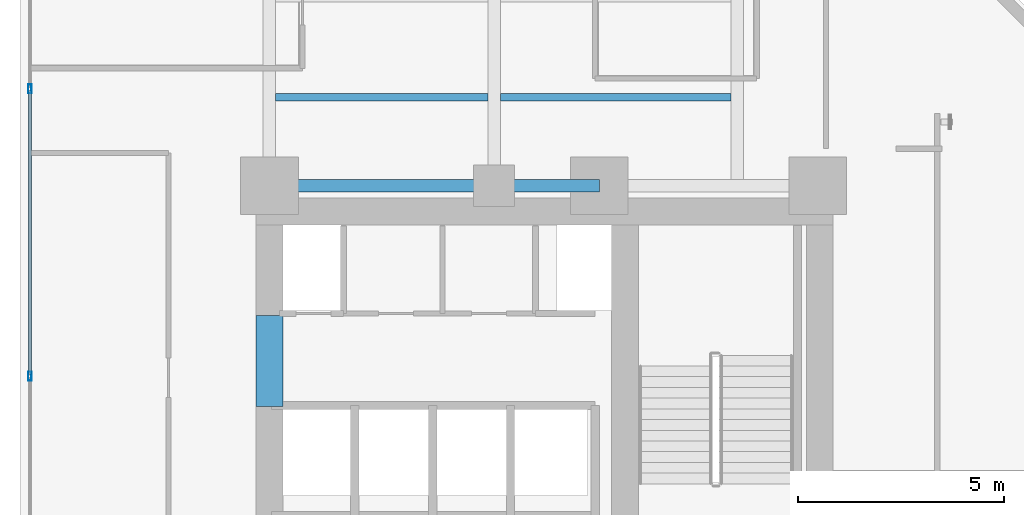
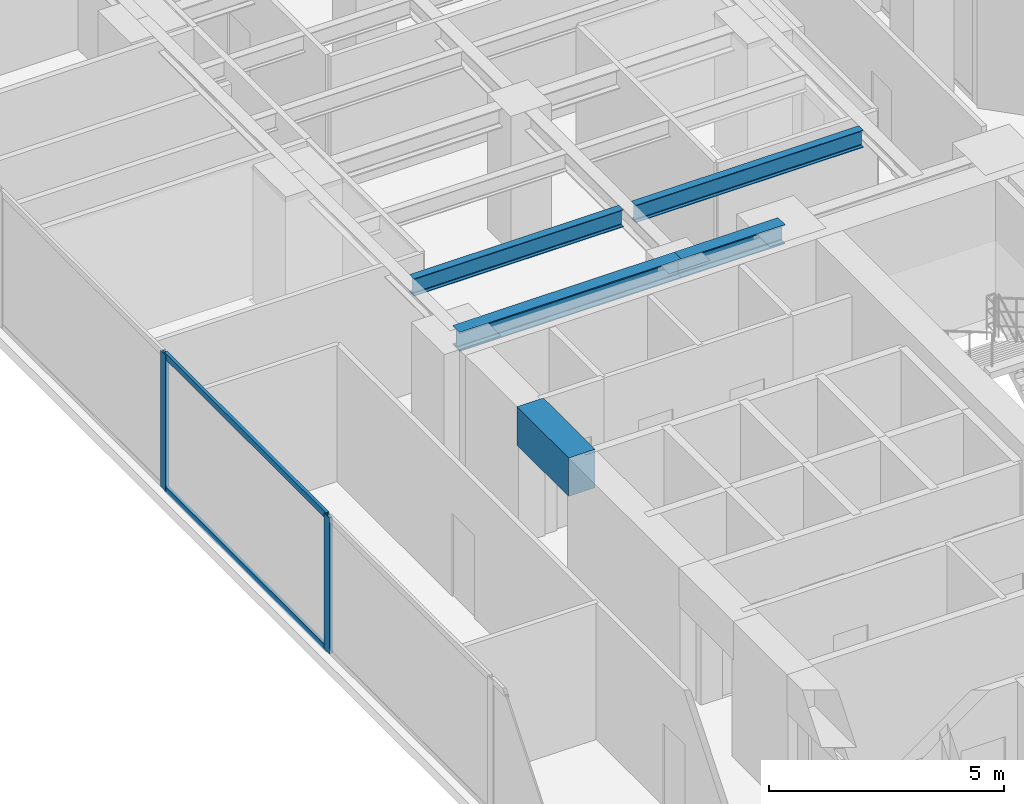
# One storey, part 7 of 29: 5 beams, 4 members, 1 element without a shape of its own.
"""IFC4 building model written with IfcOpenShell, lengths in metres."""

import ifcopenshell
import ifcopenshell.guid

model = None  # the IFC model being written
_history = None  # IfcOwnerHistory: only IFC2X3 demands one
_inside = {}  # id of a spatial element -> (the spatial element, [elements in it])
_under = {}  # id of a project, library or spatial element -> (it, [spatial elements below it])
_declared = {}  # id of a project -> (the project, [libraries it declares])
_typed = {}  # id of a type object -> (the type object, [elements of that type])
_made_of = {}  # id of a material, layer set ... -> (it, [elements and type objects made of it])


def new_model(schema):
    """Start an empty IFC model of exactly this schema.

    Asked for "IFC4X3", IfcOpenShell would pick the latest addendum, in which some entities
    have other attributes; the version numbers below select the first issue.
    IFC2X3 requires an IfcOwnerHistory on every rooted entity: one is made here for all.
    """
    global model, _history
    if schema == "IFC4X3":
        model = ifcopenshell.file(schema_version=(4, 3, 0, 0))
    else:
        model = ifcopenshell.file(schema=schema)
    _inside.clear()
    _under.clear()
    _declared.clear()
    _typed.clear()
    _made_of.clear()
    _history = None
    if model.schema == "IFC2X3":
        org = make("IfcOrganization", Name="unknown")
        user = make(
            "IfcPersonAndOrganization",
            ThePerson=make("IfcPerson", FamilyName="unknown"),
            TheOrganization=org,
        )
        app = make(
            "IfcApplication",
            ApplicationDeveloper=org,
            Version="unknown",
            ApplicationFullName="unknown",
            ApplicationIdentifier="unknown",
        )
        _history = make(
            "IfcOwnerHistory",
            OwningUser=user,
            OwningApplication=app,
            ChangeAction="ADDED",
            CreationDate=0,
        )
    return model


def make(cls, **values):
    """One entity of the class cls with the attributes given. An attribute that is None is left unset."""
    return model.create_entity(
        cls, **{name: value for name, value in values.items() if value is not None}
    )


def rooted(cls, **values):
    """An entity with a GlobalId (a new one), such as an element, a storey or a relation."""
    return make(cls, GlobalId=ifcopenshell.guid.new(), OwnerHistory=_history, **values)


def si_unit(unit_type, name, prefix=None):
    """IfcSIUnit, for example si_unit("LENGTHUNIT", "METRE", prefix="MILLI")."""
    return make("IfcSIUnit", UnitType=unit_type, Prefix=prefix, Name=name)


def assignment(units):
    """IfcUnitAssignment: the units of a project."""
    return None if units is None else make("IfcUnitAssignment", Units=units)


def point(xyz):
    """IfcCartesianPoint."""
    return None if xyz is None else make("IfcCartesianPoint", Coordinates=xyz)


def direction(xyz):
    """IfcDirection."""
    return None if xyz is None else make("IfcDirection", DirectionRatios=xyz)


def frame(location, z_axis=None, x_axis=None):
    """IfcAxis2Placement3D, a coordinate frame: its origin and axes. An axis left out is left unset."""
    return make(
        "IfcAxis2Placement3D",
        Location=point(location),
        Axis=direction(z_axis),
        RefDirection=direction(x_axis),
    )


def frame_2d(location, x_axis=None):
    """IfcAxis2Placement2D, a coordinate frame in the plane: its origin and x axis."""
    return make(
        "IfcAxis2Placement2D", Location=point(location), RefDirection=direction(x_axis)
    )


def origin():
    """The frame at (0, 0, 0) with its axes left unset."""
    return frame((0.0, 0.0, 0.0))


def origin_with_axes():
    """The frame at (0, 0, 0) with the z axis (0, 0, 1) and the x axis (1, 0, 0) written out."""
    return frame((0.0, 0.0, 0.0), z_axis=(0.0, 0.0, 1.0), x_axis=(1.0, 0.0, 0.0))


def origin_2d():
    """The frame at (0, 0) in the plane with its x axis left unset."""
    return frame_2d((0.0, 0.0))


def place(relative_to, where):
    """IfcLocalPlacement: puts the frame where relative to a parent placement (None: the world)."""
    return make(
        "IfcLocalPlacement", PlacementRelTo=relative_to, RelativePlacement=where
    )


def context(
    kind, dimensions, precision=None, world=None, true_north=None, identifier=None
):
    """IfcGeometricRepresentationContext, for example the 3D "Model" context."""
    return make(
        "IfcGeometricRepresentationContext",
        ContextIdentifier=identifier,
        ContextType=kind,
        CoordinateSpaceDimension=dimensions,
        Precision=precision,
        WorldCoordinateSystem=world,
        TrueNorth=true_north,
    )


def subcontext(parent, identifier, kind, view, scale=None):
    """IfcGeometricRepresentationSubContext, for example "Body" below "Model"."""
    return make(
        "IfcGeometricRepresentationSubContext",
        ContextIdentifier=identifier,
        ContextType=kind,
        ParentContext=parent,
        TargetScale=scale,
        TargetView=view,
    )


def project(units=None, contexts=None):
    """IfcProject with its units and contexts."""
    return rooted(
        "IfcProject",
        Name="project",
        RepresentationContexts=contexts,
        UnitsInContext=assignment(units),
    )


def spatial(cls, under=None, at=None, **own):
    """A site, building, storey or space (cls), placed at a placement, below another one or the project."""
    s = rooted(cls, ObjectPlacement=at, **own)
    if under is not None:
        _under.setdefault(under.id(), (under, []))[1].append(s)
    return s


def profile(cls, at=None, kind="AREA", **sizes):
    """A parametric profile (cls). Its sizes go by their IFC names, for example OverallWidth=200.0."""
    return make(cls, ProfileType=kind, Position=at, **sizes)


def rectangle(**sizes):
    """IfcRectangleProfileDef."""
    return profile("IfcRectangleProfileDef", **sizes)


def hollow_rectangle(**sizes):
    """IfcRectangleHollowProfileDef."""
    return profile("IfcRectangleHollowProfileDef", **sizes)


def i_section(**sizes):
    """IfcIShapeProfileDef."""
    return profile("IfcIShapeProfileDef", **sizes)


def extrude(swept, where, along, depth):
    """IfcExtrudedAreaSolid: the profile swept, set in the frame where, extruded along a direction by depth."""
    return make(
        "IfcExtrudedAreaSolid",
        SweptArea=swept,
        Position=where,
        ExtrudedDirection=direction(along),
        Depth=depth,
    )


def shape(context_of_items, identifier, shape_type, items):
    """IfcShapeRepresentation: the items that make up one representation, for example the "Body"."""
    return make(
        "IfcShapeRepresentation",
        ContextOfItems=context_of_items,
        RepresentationIdentifier=identifier,
        RepresentationType=shape_type,
        Items=items,
    )


def source(mapping_origin, context_of_items, identifier, shape_type, items):
    """IfcRepresentationMap: a shape defined once, which mapped items show again and again."""
    return make(
        "IfcRepresentationMap",
        MappingOrigin=mapping_origin,
        MappedRepresentation=shape(context_of_items, identifier, shape_type, items),
    )


def transform(
    local_origin,
    x_axis=None,
    y_axis=None,
    z_axis=None,
    scale=None,
    scale2=None,
    scale3=None,
    uniform=True,
):
    """IfcCartesianTransformationOperator3D, or its non-uniform kind. x_axis, y_axis, z_axis: its Axis1, 2, 3."""
    if uniform:
        return make(
            "IfcCartesianTransformationOperator3D",
            Axis1=direction(x_axis),
            Axis2=direction(y_axis),
            LocalOrigin=point(local_origin),
            Scale=scale,
            Axis3=direction(z_axis),
        )
    return make(
        "IfcCartesianTransformationOperator3DnonUniform",
        Axis1=direction(x_axis),
        Axis2=direction(y_axis),
        LocalOrigin=point(local_origin),
        Scale=scale,
        Axis3=direction(z_axis),
        Scale2=scale2,
        Scale3=scale3,
    )


def mapped(mapping_source, mapping_target):
    """IfcMappedItem: shows the shape of a source again, moved by a transform."""
    return make(
        "IfcMappedItem", MappingSource=mapping_source, MappingTarget=mapping_target
    )


def material(Name=None, Category=None):
    """IfcMaterial."""
    return make("IfcMaterial", Name=Name, Category=Category)


def layer(
    of_material, thickness, ventilated=None, Name=None, Category=None, Priority=None
):
    """IfcMaterialLayer: one layer of a wall or slab, of a material (None: an air gap)."""
    return make(
        "IfcMaterialLayer",
        Material=of_material,
        LayerThickness=thickness,
        IsVentilated=ventilated,
        Name=Name,
        Category=Category,
        Priority=Priority,
    )


def layer_set(layers, Name=None):
    """IfcMaterialLayerSet."""
    return make("IfcMaterialLayerSet", MaterialLayers=layers, LayerSetName=Name)


def material_profile(
    of_material, cross_section, Name=None, Category=None, Priority=None
):
    """IfcMaterialProfile: a cross section and its material."""
    return make(
        "IfcMaterialProfile",
        Name=Name,
        Material=of_material,
        Profile=cross_section,
        Priority=Priority,
        Category=Category,
    )


def profile_set(profiles, Name=None, composite=None):
    """IfcMaterialProfileSet."""
    return make(
        "IfcMaterialProfileSet",
        Name=Name,
        MaterialProfiles=profiles,
        CompositeProfile=composite,
    )


def made_of(thing, what):
    """Note that an element or type object is made of a material, layer set ...; save() writes the relation."""
    if what is not None:
        _made_of.setdefault(what.id(), (what, []))[1].append(thing)
    return thing


def type_object(cls, material=None, **own):
    """A type object (cls), such as IfcWallType, which elements share."""
    return made_of(rooted(cls, **own), material)


def element(
    cls,
    number,
    at=None,
    inside=None,
    cuts=None,
    type_object=None,
    material=None,
    context=None,
    identifier="Body",
    shape_type=None,
    held_by="IfcProductDefinitionShape",
    body=None,
    shapes=None,
    **own,
):
    """One element of the class cls, such as IfcWall. Its Tag is "e" and its number.

    at: its placement. inside: the storey or other place that contains it. cuts: it is an
    opening in that element (IfcRelVoidsElement). A single representation is given by context,
    identifier, shape_type and body (its items); several are given by shapes. held_by: the class
    of the entity that holds the representations. save() writes the other relations.
    """
    e = rooted(cls, Tag="e%d" % number, ObjectPlacement=at, **own)
    if body is not None:
        shapes = [shape(context, identifier, shape_type, body)]
    if shapes is not None:
        e.Representation = make(held_by, Representations=shapes)
    if inside is not None:
        _inside.setdefault(inside.id(), (inside, []))[1].append(e)
    if cuts is not None:
        rooted(
            "IfcRelVoidsElement", RelatingBuildingElement=cuts, RelatedOpeningElement=e
        )
    if type_object is not None:
        _typed.setdefault(type_object.id(), (type_object, []))[1].append(e)
    return made_of(e, material)


def aggregate(whole, parts):
    """IfcRelAggregates: a whole, such as a stair, and the parts it consists of."""
    return rooted("IfcRelAggregates", RelatingObject=whole, RelatedObjects=parts)


def save(model, path):
    """Write the relations noted so far, then the file.

    IfcRelAggregates (storeys below a building ...), IfcRelContainedInSpatialStructure (elements
    in a storey), IfcRelDefinesByType, IfcRelAssociatesMaterial and IfcRelDeclares: one each for
    every whole, place, type object, material and project.
    """
    for whole, parts in _under.values():
        aggregate(whole, parts)
    for where, things in _inside.values():
        rooted(
            "IfcRelContainedInSpatialStructure",
            RelatedElements=things,
            RelatingStructure=where,
        )
    for kind, things in _typed.values():
        rooted("IfcRelDefinesByType", RelatedObjects=things, RelatingType=kind)
    for what, things in _made_of.values():
        rooted("IfcRelAssociatesMaterial", RelatedObjects=things, RelatingMaterial=what)
    for by, libraries in _declared.values():
        rooted("IfcRelDeclares", RelatingContext=by, RelatedDefinitions=libraries)
    model.write(path)


model = new_model("IFC4")

# Units and contexts
model_context = context("Model", 3, precision=1e-05, world=origin(), true_north=direction((0.0, 1.0)))
body_context = subcontext(model_context, "Body", "Model", "MODEL_VIEW")
ifc_project = project(units=[si_unit("LENGTHUNIT", "METRE"), si_unit("AREAUNIT", "SQUARE_METRE"), si_unit("VOLUMEUNIT", "CUBIC_METRE"), si_unit("PLANEANGLEUNIT", "RADIAN"), si_unit("MASSUNIT", "GRAM", prefix="KILO")], contexts=[model_context])

# Site, building, storey
site_placement = place(None, origin())
site = spatial("IfcSite", under=ifc_project, at=site_placement, CompositionType="ELEMENT")
building_placement = place(site_placement, origin())
building = spatial("IfcBuilding", under=site, at=building_placement, Name="Kolvaren Waterfront Exchange", CompositionType="ELEMENT")
storey_placement = place(building_placement, frame((0.0, 0.0, 129.699951171875)))
storey = spatial("IfcBuildingStorey", under=building, at=storey_placement, Name="L33", CompositionType="ELEMENT", Elevation=129.699951171875)

# Beams
ifc_material_1 = material(Name="Steel S355", Category="steel")
ifc_material_profile_1 = material_profile(ifc_material_1, i_section(OverallWidth=0.300048828125, OverallDepth=0.5, WebThickness=0.014404296875, FlangeThickness=0.028076171875, FilletRadius=0.027099609375, at=origin_2d()), Name="HEB500")
ifc_profile_set_1 = profile_set([ifc_material_profile_1], Name="Steel S355")
beam_type_1 = type_object("IfcBeamType", Name="STR-BM-HEB500", PredefinedType="BEAM", material=ifc_profile_set_1)
beam_1_placement = place(storey_placement, frame((7.449951171875, 24.449951171875, 3.2900390625), z_axis=(1.0, 0.0, 0.0), x_axis=(0.0, 1.0, 0.0)))
element("IfcBeam", 1, at=beam_1_placement, inside=storey, type_object=beam_type_1, Name="L33 north-arm girder 1A", PredefinedType="BEAM", context=body_context, shape_type="SweptSolid", body=[
    extrude(i_section(OverallWidth=0.300048828125, OverallDepth=0.5, WebThickness=0.014404296875, FlangeThickness=0.028076171875, FilletRadius=0.027099609375, at=origin_2d()), origin(), (0.0, 0.0, 1.0), 5.449951171875),
])
beam_2_placement = place(storey_placement, frame((12.89990234375, 24.449951171875, 3.2900390625), z_axis=(1.0, 0.0, 0.0), x_axis=(0.0, 1.0, 0.0)))
element("IfcBeam", 2, at=beam_2_placement, inside=storey, type_object=beam_type_1, Name="L33 north-arm girder 1B", PredefinedType="BEAM", context=body_context, shape_type="SweptSolid", body=[
    extrude(i_section(OverallWidth=0.300048828125, OverallDepth=0.5, WebThickness=0.014404296875, FlangeThickness=0.028076171875, FilletRadius=0.027099609375, at=origin_2d()), origin(), (0.0, 0.0, 1.0), 2.550048828125),
])
ifc_material_profile_2 = material_profile(ifc_material_1, i_section(OverallWidth=0.18994140625, OverallDepth=0.449951171875, WebThickness=0.009521484375, FlangeThickness=0.0146484375, FilletRadius=0.02099609375, at=origin_2d()), Name="IPE450")
ifc_profile_set_2 = profile_set([ifc_material_profile_2], Name="Steel S355")
beam_type_2 = type_object("IfcBeamType", Name="STR-BM-IPE450", PredefinedType="JOIST", material=ifc_profile_set_2)
beam_3_placement = place(storey_placement, frame((7.60205078125, 26.60009765625, 3.31494140625), z_axis=(1.0, 0.0, 0.0), x_axis=(0.0, 1.0, 0.0)))
element("IfcBeam", 3, at=beam_3_placement, inside=storey, type_object=beam_type_2, Name="L33 north-arm composite joist 1A", PredefinedType="JOIST", context=body_context, shape_type="SweptSolid", body=[
    extrude(i_section(OverallWidth=0.18994140625, OverallDepth=0.449951171875, WebThickness=0.009521484375, FlangeThickness=0.0146484375, FilletRadius=0.02099609375, at=origin_2d()), origin(), (0.0, 0.0, 1.0), 5.14599609375),
])
beam_4_placement = place(storey_placement, frame((13.052001953125, 26.60009765625, 3.31494140625), z_axis=(1.0, 0.0, 0.0), x_axis=(0.0, 1.0, 0.0)))
element("IfcBeam", 4, at=beam_4_placement, inside=storey, type_object=beam_type_2, Name="L33 north-arm composite joist 1B", PredefinedType="JOIST", context=body_context, shape_type="SweptSolid", body=[
    extrude(i_section(OverallWidth=0.18994140625, OverallDepth=0.449951171875, WebThickness=0.009521484375, FlangeThickness=0.0146484375, FilletRadius=0.02099609375, at=origin_2d()), origin(), (0.0, 0.0, 1.0), 5.595947265625),
])
ifc_material_2 = material(Name="Concrete C60/75", Category="concrete")
ifc_material_profile_3 = material_profile(ifc_material_2, rectangle(XDim=0.64990234375, YDim=1.0, at=origin_2d()), Name="RC-CB-1000x650")
ifc_profile_set_3 = profile_set([ifc_material_profile_3], Name="Concrete C60/75")
beam_type_3 = type_object("IfcBeamType", Name="STR-CB-1000", PredefinedType="SPANDREL", material=ifc_profile_set_3)
beam_5_placement = place(storey_placement, frame((7.449951171875, 19.10009765625, 3.0400390625), z_axis=(0.0, 1.0, 0.0), x_axis=(-1.0, 0.0, 0.0)))
element("IfcBeam", 5, at=beam_5_placement, inside=storey, type_object=beam_type_3, Name="L33 core coupling beam 5", PredefinedType="SPANDREL", context=body_context, shape_type="SweptSolid", body=[
    extrude(rectangle(XDim=0.64990234375, YDim=1.0, at=origin_2d()), origin(), (0.0, 0.0, 1.0), 2.199951171875),
])

# Curtain wall, members
ifc_material_3 = material(Name="Anodised aluminium 6063-T6", Category="aluminium")
ifc_layer = layer(ifc_material_3, 0.219970703125, Name="Anodised aluminium 6063-T6")
ifc_layer_set = layer_set([ifc_layer], Name="Anodised aluminium 6063-T6")
curtain_wall_type = type_object("IfcCurtainWallType", Name="ARC-CW-SYS2", PredefinedType="USERDEFINED", material=ifc_layer_set)
curtain_wall_placement = place(storey_placement, origin())
curtain_wall = element("IfcCurtainWall", 6, at=curtain_wall_placement, inside=storey, type_object=curtain_wall_type, Name="L33 stick curtain wall CW2 (CW-L33-W)", ObjectType="STICK CURTAIN WALL", PredefinedType="USERDEFINED")
ifc_material_profile_4 = material_profile(ifc_material_3, hollow_rectangle(XDim=0.080078125, YDim=0.219970703125, WallThickness=0.0048828125, at=origin_2d()), Name="ALU-MUL-220x80x5")
ifc_profile_set_4 = profile_set([ifc_material_profile_4], Name="Anodised aluminium 6063-T6")
member_type_1 = type_object("IfcMemberType", Name="ARC-CWM-220", PredefinedType="MULLION", material=ifc_profile_set_4)
shared_shape_1 = source(origin_with_axes(), body_context, "Body", "SweptSolid", [
    extrude(hollow_rectangle(XDim=0.080078125, YDim=0.219970703125, WallThickness=0.0048828125, at=origin_2d()), origin(), (0.0, 0.0, 1.0), 3.5400390625),
])
member_1_placement = place(storey_placement, frame((1.639892578125, 19.833251953125, 0.0), z_axis=(0.0, 0.0, 1.0), x_axis=(-1.0, 0.0, 0.0)))
member_1 = element("IfcMember", 7, at=member_1_placement, type_object=member_type_1, Name="CW2 mullion 3", PredefinedType="MULLION", context=body_context, shape_type="MappedRepresentation", body=[
    mapped(shared_shape_1, transform((0.0, 0.0, 0.0), x_axis=(1.0, 0.0, 0.0), y_axis=(0.0, 1.0, 0.0), z_axis=(0.0, 0.0, 1.0), scale=1.0)),
])
member_2_placement = place(storey_placement, frame((1.639892578125, 26.800048828125, 0.0), z_axis=(0.0, 0.0, 1.0), x_axis=(-1.0, 0.0, 0.0)))
member_2 = element("IfcMember", 8, at=member_2_placement, type_object=member_type_1, Name="CW2 mullion 4", PredefinedType="MULLION", context=body_context, shape_type="MappedRepresentation", body=[
    mapped(shared_shape_1, transform((0.0, 0.0, 0.0), x_axis=(1.0, 0.0, 0.0), y_axis=(0.0, 1.0, 0.0), z_axis=(0.0, 0.0, 1.0), scale=1.0)),
])
ifc_material_profile_5 = material_profile(ifc_material_3, hollow_rectangle(XDim=0.074951171875, YDim=0.159912109375, WallThickness=0.00439453125, at=origin_2d()), Name="ALU-TRN-160x75x4.5")
ifc_profile_set_5 = profile_set([ifc_material_profile_5], Name="Anodised aluminium 6063-T6")
member_type_2 = type_object("IfcMemberType", Name="ARC-CWT-160", PredefinedType="USERDEFINED", material=ifc_profile_set_5)
shared_shape_2 = source(origin_with_axes(), body_context, "Body", "SweptSolid", [
    extrude(hollow_rectangle(XDim=0.074951171875, YDim=0.159912109375, WallThickness=0.00439453125, at=origin_2d()), origin(), (0.0, 0.0, 1.0), 6.88671875),
])
member_3_placement = place(storey_placement, frame((1.639892578125, 19.873291015625, 0.03759765625), z_axis=(0.0, 1.0, 0.0), x_axis=(-1.0, 0.0, 0.0)))
member_3 = element("IfcMember", 9, at=member_3_placement, type_object=member_type_2, Name="CW2 transom 3.1", ObjectType="TRANSOM", PredefinedType="USERDEFINED", context=body_context, shape_type="MappedRepresentation", body=[
    mapped(shared_shape_2, transform((0.0, 0.0, 0.0), x_axis=(1.0, 0.0, 0.0), y_axis=(0.0, 1.0, 0.0), z_axis=(0.0, 0.0, 1.0), scale=1.0)),
])
member_4_placement = place(storey_placement, frame((1.639892578125, 19.873291015625, 3.50244140625), z_axis=(0.0, 1.0, 0.0), x_axis=(-1.0, 0.0, 0.0)))
member_4 = element("IfcMember", 10, at=member_4_placement, type_object=member_type_2, Name="CW2 transom 3.2", ObjectType="TRANSOM", PredefinedType="USERDEFINED", context=body_context, shape_type="MappedRepresentation", body=[
    mapped(shared_shape_2, transform((0.0, 0.0, 0.0), x_axis=(1.0, 0.0, 0.0), y_axis=(0.0, 1.0, 0.0), z_axis=(0.0, 0.0, 1.0), scale=1.0)),
])
aggregate(curtain_wall, [member_1, member_2, member_3, member_4])

save(model, "model.ifc")
